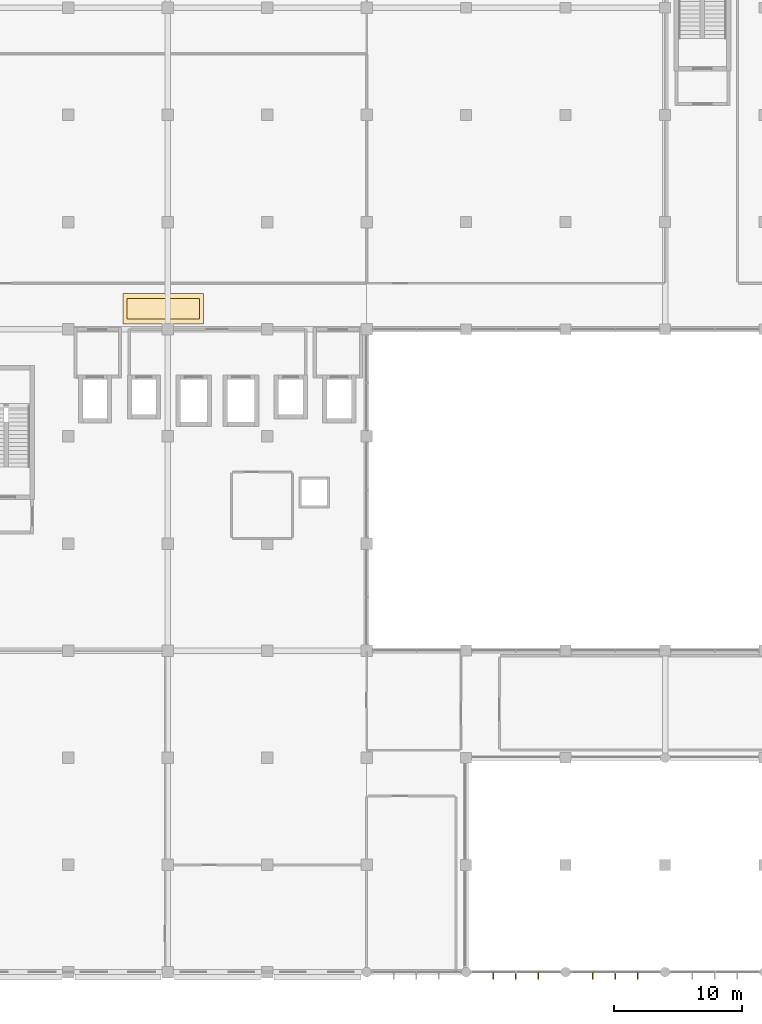
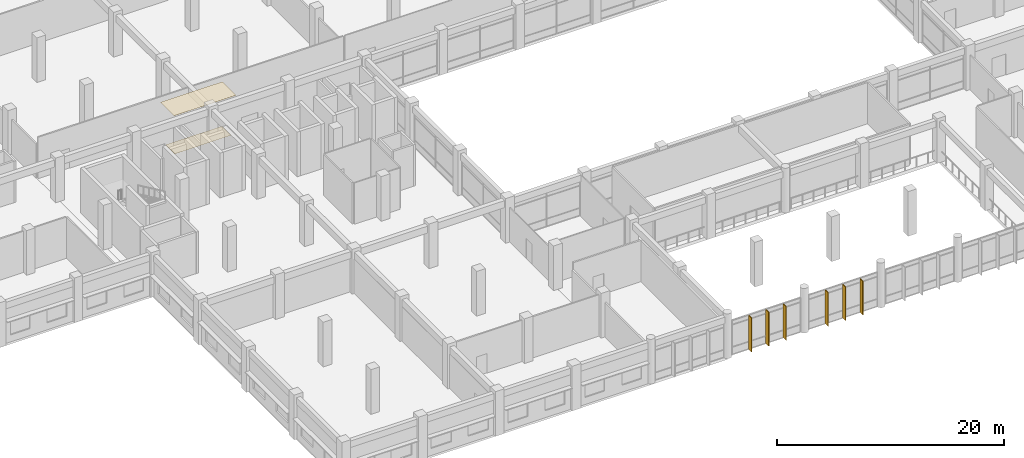
# One storey, part 69 of 79: 6 shading devices, 2 coverings.
"""IFC4 building model written with IfcOpenShell, lengths in metres."""

from ifc_helpers import new_model, si_unit, direction, frame, origin, origin_2d, place, context, subcontext, project, spatial, polyline, rectangle, outline, extrude, material, layer, layer_set, type_object, element, save


model = new_model("IFC4")

# Units and contexts
model_context = context("Model", 3, precision=1e-05, world=origin(), true_north=direction((0.0, 1.0)))
body_context = subcontext(model_context, "Body", "Model", "MODEL_VIEW")
ifc_project = project(units=[si_unit("LENGTHUNIT", "METRE"), si_unit("AREAUNIT", "SQUARE_METRE"), si_unit("VOLUMEUNIT", "CUBIC_METRE"), si_unit("PLANEANGLEUNIT", "RADIAN"), si_unit("MASSUNIT", "GRAM", prefix="KILO"), si_unit("THERMODYNAMICTEMPERATUREUNIT", "KELVIN"), si_unit("POWERUNIT", "WATT")], contexts=[model_context])

# Site, building, storey
site_placement = place(None, origin())
site = spatial("IfcSite", under=ifc_project, at=site_placement, CompositionType="ELEMENT")
building_placement = place(site_placement, origin())
building = spatial("IfcBuilding", under=site, at=building_placement, Name="Srebrne Nadtorze General Hospital", CompositionType="ELEMENT")
storey_placement = place(building_placement, frame((0.0, 0.0, 4.800048828125)))
storey = spatial("IfcBuildingStorey", under=building, at=storey_placement, Name="L01", CompositionType="ELEMENT", Elevation=4.800048828125)

# Coverings
ifc_material_1 = material(Name="Medical Vinyl Flooring")
ifc_layer_1 = layer(ifc_material_1, 0.006103515625)
ifc_layer_set_1 = layer_set([ifc_layer_1], Name="Medical Vinyl Flooring")
covering_type_1 = type_object("IfcCoveringType", Name="Antistatic medical vinyl flooring", PredefinedType="FLOORING", material=ifc_layer_set_1)
covering_1_placement = place(storey_placement, origin())
element("IfcCovering", 1, at=covering_1_placement, inside=storey, type_object=covering_type_1, Name="Medical vinyl flooring L01", PredefinedType="FLOORING", context=body_context, shape_type="SweptSolid", body=[
    extrude(outline(polyline([(35.800048828125, 51.199951171875), (41.5, 51.199951171875), (41.5, 52.800048828125), (35.800048828125, 52.800048828125), (35.800048828125, 51.199951171875)])), origin(), (0.0, 0.0, 1.0), 0.005859375),
])
ifc_material_2 = material(Name="Acoustic Mineral Ceiling")
ifc_layer_2 = layer(ifc_material_2, 0.014892578125)
ifc_layer_set_2 = layer_set([ifc_layer_2], Name="Acoustic Mineral Ceiling")
covering_type_2 = type_object("IfcCoveringType", Name="Hygienic acoustic ceiling tile", PredefinedType="CEILING", material=ifc_layer_set_2)
covering_2_placement = place(storey_placement, frame((0.0, 0.0, 4.43505859375)))
element("IfcCovering", 2, at=covering_2_placement, inside=storey, type_object=covering_type_2, Name="Acoustic ceiling L01", PredefinedType="CEILING", context=body_context, shape_type="SweptSolid", body=[
    extrude(outline(polyline([(35.5, 50.800048828125), (41.800048828125, 50.800048828125), (41.800048828125, 53.199951171875), (35.5, 53.199951171875), (35.5, 50.800048828125)])), origin(), (0.0, 0.0, 1.0), 0.014892578125),
])

# Shading devices
ifc_material_3 = material(Name="Anodised Aluminium", Category="aluminium")
ifc_layer_3 = layer(ifc_material_3, 0.070068359375)
ifc_layer_set_3 = layer_set([ifc_layer_3], Name="Anodised Aluminium")
shading_device_type = type_object("IfcShadingDeviceType", Name="Koushi vertical brise-soleil fin", PredefinedType="SHUTTER", material=ifc_layer_set_3)
for number, where, z_axis, x_axis, name in (
    (3, (64.53759765625, -0.300048828125, 0.06005859375), (0.0, 0.0, 1.0), (1.0, 0.0, 0.0), "Koushi vertical brise-soleil fin LV-057"),
    (4, (66.300048828125, -0.300048828125, 0.06005859375), (0.0, 0.0, 1.0), (1.0, 0.0, 0.0), "Koushi vertical brise-soleil fin LV-058"),
    (5, (68.0625, -0.300048828125, 0.06005859375), (0.0, 0.0, 1.0), (1.0, 0.0, 0.0), "Koushi vertical brise-soleil fin LV-059"),
    (6, (72.33740234375, -0.300048828125, 0.06005859375), (0.0, 0.0, 1.0), (1.0, 0.0, 0.0), "Koushi vertical brise-soleil fin LV-060"),
    (7, (74.10009765625, -0.300048828125, 0.06005859375), (0.0, 0.0, 1.0), (1.0, 0.0, 0.0), "Koushi vertical brise-soleil fin LV-061"),
    (8, (75.862548828125, -0.300048828125, 0.06005859375), (0.0, 0.0, 1.0), (1.0, 0.0, 0.0), "Koushi vertical brise-soleil fin LV-062"),
):
    element("IfcShadingDevice", number, at=place(storey_placement, frame(where, z_axis=z_axis, x_axis=x_axis)), inside=storey, type_object=shading_device_type, Name=name, PredefinedType="SHUTTER", context=body_context, shape_type="SweptSolid", body=[
        extrude(rectangle(XDim=0.070068359375, YDim=0.52001953125, at=origin_2d()), origin(), (0.0, 0.0, 1.0), 3.6298828125),
    ])

save(model, "model.ifc")
